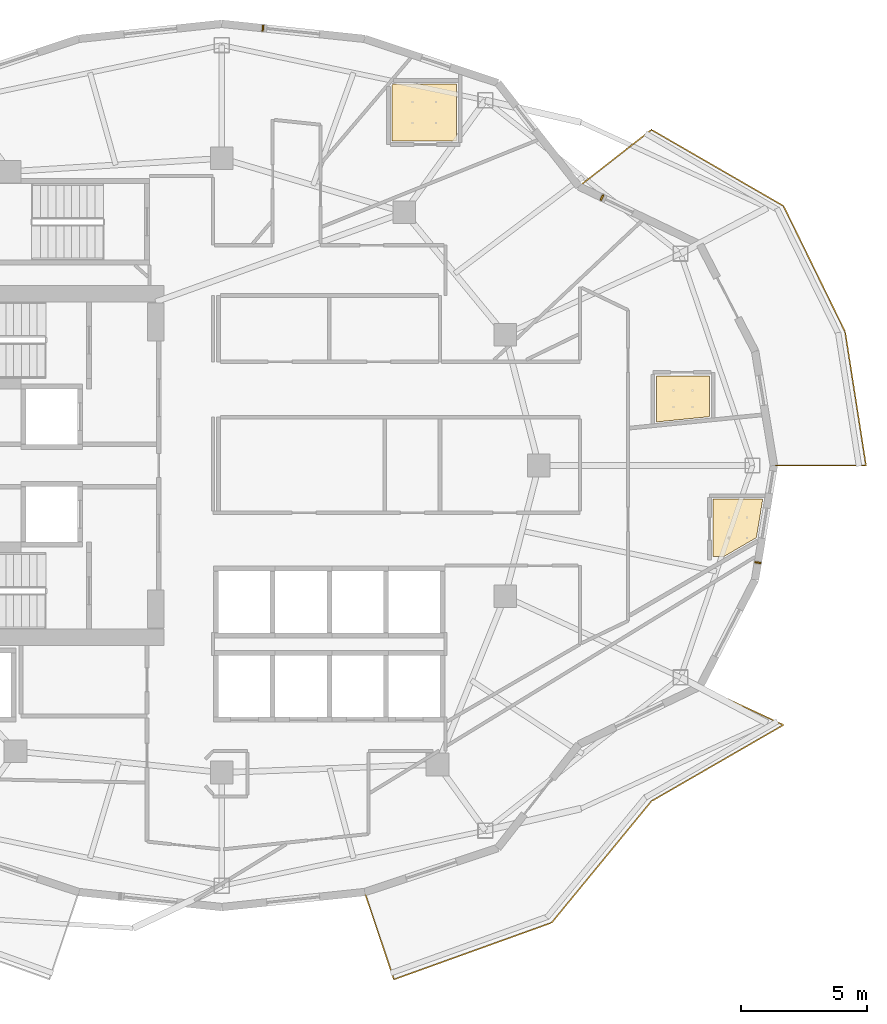
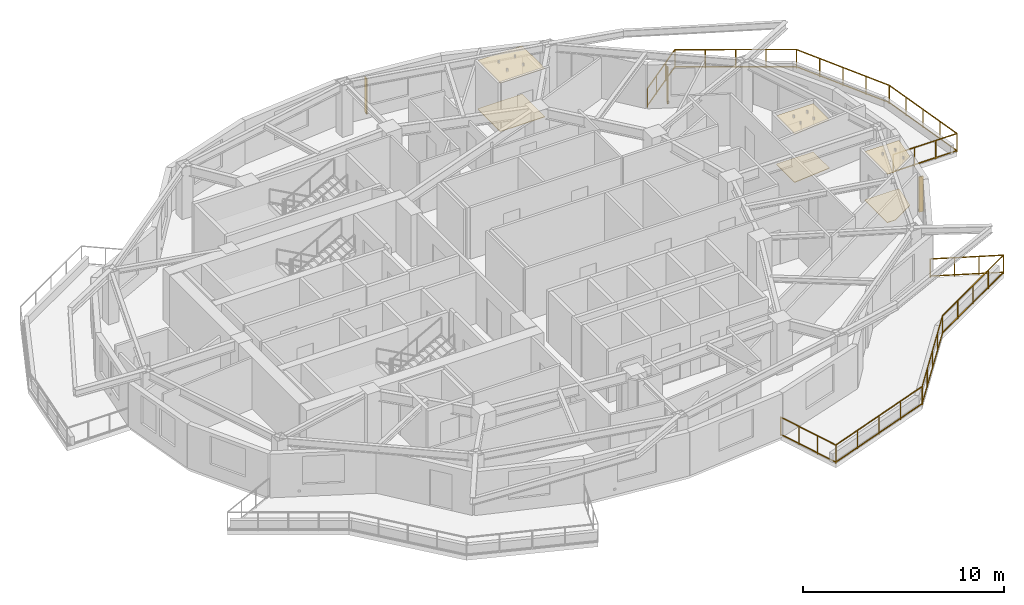
# One storey, part 10 of 10: 6 coverings, 3 shading devices, 2 railings.
"""IFC4 building model written with IfcOpenShell, lengths in metres."""

from ifc_helpers import new_model, si_unit, direction, frame, origin, origin_2d, place, context, subcontext, project, spatial, polyline, rectangle, outline, extrude, material, layer, layer_set, type_object, element, save


model = new_model("IFC4")

# Units and contexts
model_context = context("Model", 3, precision=1e-05, world=origin(), true_north=direction((0.0, 1.0)))
body_context = subcontext(model_context, "Body", "Model", "MODEL_VIEW")
ifc_project = project(units=[si_unit("LENGTHUNIT", "METRE"), si_unit("AREAUNIT", "SQUARE_METRE"), si_unit("VOLUMEUNIT", "CUBIC_METRE"), si_unit("PLANEANGLEUNIT", "RADIAN"), si_unit("MASSUNIT", "GRAM", prefix="KILO")], contexts=[model_context])

# Site, building, storey
site_placement = place(None, origin())
site = spatial("IfcSite", under=ifc_project, at=site_placement, CompositionType="ELEMENT")
building_placement = place(site_placement, origin())
building = spatial("IfcBuilding", under=site, at=building_placement, Name="Kolvaren Gate Tower and Convention Centre", CompositionType="ELEMENT")
storey_placement = place(building_placement, frame((0.0, 0.0, 146.10009765625)))
storey = spatial("IfcBuildingStorey", under=building, at=storey_placement, Name="L37", CompositionType="ELEMENT", Elevation=146.10009765625)

# Coverings
ifc_material_1 = material(Name="Perforated Mineral-Fibre Acoustic Ceiling Tile 18 mm", Category="gypsum")
ifc_layer_1 = layer(ifc_material_1, 0.01806640625)
ifc_layer_set_1 = layer_set([ifc_layer_1], Name="Perforated Mineral-Fibre Acoustic Ceiling Tile 18 mm")
covering_type_1 = type_object("IfcCoveringType", Name="ARCH-COV-CEIL-18", PredefinedType="CEILING", material=ifc_layer_set_1)
covering_1_placement = place(storey_placement, frame((0.0, 0.0, 2.949951171875)))
element("IfcCovering", 1, at=covering_1_placement, inside=storey, type_object=covering_type_1, Name="En-suite Bathroom (HTL-L37-05) Acoustic Suspended Ceiling", PredefinedType="CEILING", context=body_context, shape_type="SweptSolid", body=[
    extrude(outline(polyline([(49.639892578125, 23.389892578125), (49.639892578125, 25.659912109375), (51.618896484375, 25.659912109375), (51.367919921875, 24.133056640625), (50.090087890625, 23.389892578125), (49.639892578125, 23.389892578125)])), origin(), (0.0, 0.0, 1.0), 0.01806640625),
])
covering_2_placement = place(storey_placement, frame((0.0, 0.0, 2.949951171875)))
element("IfcCovering", 2, at=covering_2_placement, inside=storey, type_object=covering_type_1, Name="En-suite Bathroom (HTL-L37-07) Acoustic Suspended Ceiling", PredefinedType="CEILING", context=body_context, shape_type="SweptSolid", body=[
    extrude(outline(polyline([(47.389892578125, 30.56005859375), (49.510009765625, 30.56005859375), (49.510009765625, 28.93994140625), (47.389892578125, 28.72900390625), (47.389892578125, 30.56005859375)])), origin(), (0.0, 0.0, 1.0), 0.01806640625),
])
covering_3_placement = place(storey_placement, frame((0.0, 0.0, 2.949951171875)))
element("IfcCovering", 3, at=covering_3_placement, inside=storey, type_object=covering_type_1, Name="En-suite Bathroom (HTL-L37-09) Acoustic Suspended Ceiling", PredefinedType="CEILING", context=body_context, shape_type="SweptSolid", body=[
    extrude(outline(polyline([(39.4599609375, 42.159912109375), (39.4599609375, 39.889892578125), (36.889892578125, 39.889892578125), (36.889892578125, 42.10400390625), (36.93798828125, 42.159912109375), (39.4599609375, 42.159912109375)])), origin(), (0.0, 0.0, 1.0), 0.01806640625),
])
ifc_material_2 = material(Name="Honed Sabana Limestone Terrazzo Flooring 30 mm", Category="masonry")
ifc_layer_2 = layer(ifc_material_2, 0.030029296875)
ifc_layer_set_2 = layer_set([ifc_layer_2], Name="Honed Sabana Limestone Terrazzo Flooring 30 mm")
covering_type_2 = type_object("IfcCoveringType", Name="ARCH-COV-FLR-30", PredefinedType="FLOORING", material=ifc_layer_set_2)
covering_4_placement = place(storey_placement, origin())
element("IfcCovering", 4, at=covering_4_placement, inside=storey, type_object=covering_type_2, Name="En-suite Bathroom (HTL-L37-05) Interior Finish Flooring", PredefinedType="FLOORING", context=body_context, shape_type="SweptSolid", body=[
    extrude(outline(polyline([(49.639892578125, 23.389892578125), (49.639892578125, 25.659912109375), (51.618896484375, 25.659912109375), (51.367919921875, 24.133056640625), (50.090087890625, 23.389892578125), (49.639892578125, 23.389892578125)])), origin(), (0.0, 0.0, 1.0), 0.02978515625),
])
covering_5_placement = place(storey_placement, origin())
element("IfcCovering", 5, at=covering_5_placement, inside=storey, type_object=covering_type_2, Name="En-suite Bathroom (HTL-L37-07) Interior Finish Flooring", PredefinedType="FLOORING", context=body_context, shape_type="SweptSolid", body=[
    extrude(outline(polyline([(47.389892578125, 30.56005859375), (49.510009765625, 30.56005859375), (49.510009765625, 28.93994140625), (47.389892578125, 28.72900390625), (47.389892578125, 30.56005859375)])), origin(), (0.0, 0.0, 1.0), 0.02978515625),
])
covering_6_placement = place(storey_placement, origin())
element("IfcCovering", 6, at=covering_6_placement, inside=storey, type_object=covering_type_2, Name="En-suite Bathroom (HTL-L37-09) Interior Finish Flooring", PredefinedType="FLOORING", context=body_context, shape_type="SweptSolid", body=[
    extrude(outline(polyline([(39.4599609375, 42.159912109375), (39.4599609375, 39.889892578125), (36.889892578125, 39.889892578125), (36.889892578125, 42.10400390625), (36.93798828125, 42.159912109375), (39.4599609375, 42.159912109375)])), origin(), (0.0, 0.0, 1.0), 0.02978515625),
])

# Railings
ifc_material_3 = material(Name="Brushed Stainless Steel Grade 316L", Category="steel")
railing_type = type_object("IfcRailingType", Name="ARCH-RL-GUARD-1150", PredefinedType="GUARDRAIL", material=ifc_material_3)
railing_1_placement = place(storey_placement, frame((52.0625, 27.0, 0.0)))
element("IfcRailing", 7, at=railing_1_placement, inside=storey, type_object=railing_type, Name="Tower L37 Terrace Perimeter Guardrail GR-1", PredefinedType="GUARDRAIL", context=body_context, shape_type="SweptSolid", body=[
    extrude(rectangle(XDim=0.048095703125, YDim=0.048095703125, at=origin_2d()), frame((0.028076171875, 0.0, 1.1259765625), z_axis=(1.0, 0.0, 0.0), x_axis=(0.0, 1.0, 0.0)), (0.0, 0.0, 1.0), 3.603759765625),
    extrude(rectangle(XDim=0.048095703125, YDim=0.048095703125, at=origin_2d()), frame((0.028076171875, 0.0, 0.083984375), z_axis=(1.0, 0.0, 0.0), x_axis=(0.0, 1.0, 0.0)), (0.0, 0.0, 1.0), 3.603759765625),
    extrude(rectangle(XDim=0.048095703125, YDim=0.048095703125, at=origin_2d()), frame((3.655517578125, 0.02783203125, 1.1259765625), z_axis=(-0.154200861408, 0.988039520637, 0.0), x_axis=(-0.988039520637, -0.154200861408, 0.0)), (0.0, 0.0, 1.0), 5.3173828125),
    extrude(rectangle(XDim=0.048095703125, YDim=0.048095703125, at=origin_2d()), frame((3.655517578125, 0.02783203125, 0.083984375), z_axis=(-0.154200861408, 0.988039520637, 0.0), x_axis=(-0.988039520637, -0.154200861408, 0.0)), (0.0, 0.0, 1.0), 5.3173828125),
    extrude(rectangle(XDim=0.048095703125, YDim=0.048095703125, at=origin_2d()), frame((2.81884765625, 5.33447265625, 1.1259765625), z_axis=(-0.439655234701, 0.898166618507, 0.0), x_axis=(-0.898166618507, -0.439655234701, 0.0)), (0.0, 0.0, 1.0), 5.51123046875),
    extrude(rectangle(XDim=0.048095703125, YDim=0.048095703125, at=origin_2d()), frame((2.81884765625, 5.33447265625, 0.083984375), z_axis=(-0.439655234701, 0.898166618507, 0.0), x_axis=(-0.898166618507, -0.439655234701, 0.0)), (0.0, 0.0, 1.0), 5.51123046875),
    extrude(rectangle(XDim=0.048095703125, YDim=0.048095703125, at=origin_2d()), frame((0.359375, 10.32373046875, 1.1259765625), z_axis=(-0.866075571306, 0.499913097234, 0.0), x_axis=(-0.499913097234, -0.866075571306, 0.0)), (0.0, 0.0, 1.0), 6.004150390625),
    extrude(rectangle(XDim=0.048095703125, YDim=0.048095703125, at=origin_2d()), frame((0.359375, 10.32373046875, 0.083984375), z_axis=(-0.866075571306, 0.499913097234, 0.0), x_axis=(-0.499913097234, -0.866075571306, 0.0)), (0.0, 0.0, 1.0), 6.004150390625),
    extrude(rectangle(XDim=0.048095703125, YDim=0.048095703125, at=origin_2d()), frame((-4.88720703125, 13.322021484375, 1.1259765625), z_axis=(-0.787988976981, -0.61568934712, 0.0), x_axis=(0.61568934712, -0.787988976981, 0.0)), (0.0, 0.0, 1.0), 3.60400390625),
    extrude(rectangle(XDim=0.048095703125, YDim=0.048095703125, at=origin_2d()), frame((-4.88720703125, 13.322021484375, 0.083984375), z_axis=(-0.787988976981, -0.61568934712, 0.0), x_axis=(0.61568934712, -0.787988976981, 0.0)), (0.0, 0.0, 1.0), 3.60400390625),
    extrude(rectangle(XDim=0.0419921875, YDim=0.0419921875, at=origin_2d()), origin(), (0.0, 0.0, 1.0), 1.14990234375),
    extrude(rectangle(XDim=0.0419921875, YDim=0.0419921875, at=origin_2d()), frame((3.659912109375, 0.0, 0.0)), (0.0, 0.0, 1.0), 1.14990234375),
    extrude(rectangle(XDim=0.0419921875, YDim=0.0419921875, at=origin_2d()), frame((1.219970703125, 0.0, 0.0)), (0.0, 0.0, 1.0), 1.099853515625),
    extrude(rectangle(XDim=0.0419921875, YDim=0.0419921875, at=origin_2d()), frame((2.43994140625, 0.0, 0.0)), (0.0, 0.0, 1.0), 1.099853515625),
    extrude(rectangle(XDim=0.0419921875, YDim=0.0419921875, at=origin_2d()), frame((2.831298828125, 5.309326171875, 0.0)), (0.0, 0.0, 1.0), 1.14990234375),
    extrude(rectangle(XDim=0.0419921875, YDim=0.0419921875, at=origin_2d()), frame((3.45263671875, 1.327392578125, 0.0)), (0.0, 0.0, 1.0), 1.099853515625),
    extrude(rectangle(XDim=0.0419921875, YDim=0.0419921875, at=origin_2d()), frame((3.24560546875, 2.65478515625, 0.0)), (0.0, 0.0, 1.0), 1.099853515625),
    extrude(rectangle(XDim=0.0419921875, YDim=0.0419921875, at=origin_2d()), frame((3.03857421875, 3.98193359375, 0.0)), (0.0, 0.0, 1.0), 1.099853515625),
    extrude(rectangle(XDim=0.0419921875, YDim=0.0419921875, at=origin_2d()), frame((0.383544921875, 10.309814453125, 0.0)), (0.0, 0.0, 1.0), 1.14990234375),
    extrude(rectangle(XDim=0.0419921875, YDim=0.0419921875, at=origin_2d()), frame((2.21923828125, 6.5595703125, 0.0)), (0.0, 0.0, 1.0), 1.099853515625),
    extrude(rectangle(XDim=0.0419921875, YDim=0.0419921875, at=origin_2d()), frame((1.607421875, 7.8095703125, 0.0)), (0.0, 0.0, 1.0), 1.099853515625),
    extrude(rectangle(XDim=0.0419921875, YDim=0.0419921875, at=origin_2d()), frame((0.99560546875, 9.0595703125, 0.0)), (0.0, 0.0, 1.0), 1.099853515625),
    extrude(rectangle(XDim=0.0419921875, YDim=0.0419921875, at=origin_2d()), frame((-4.864990234375, 13.33935546875, 0.0)), (0.0, 0.0, 1.0), 1.14990234375),
    extrude(rectangle(XDim=0.0419921875, YDim=0.0419921875, at=origin_2d()), frame((-0.9287109375, 11.067138671875, 0.0)), (0.0, 0.0, 1.0), 1.099853515625),
    extrude(rectangle(XDim=0.0419921875, YDim=0.0419921875, at=origin_2d()), frame((-2.24072265625, 11.82470703125, 0.0)), (0.0, 0.0, 1.0), 1.099853515625),
    extrude(rectangle(XDim=0.0419921875, YDim=0.0419921875, at=origin_2d()), frame((-3.552734375, 12.58203125, 0.0)), (0.0, 0.0, 1.0), 1.099853515625),
    extrude(rectangle(XDim=0.0419921875, YDim=0.0419921875, at=origin_2d()), frame((-7.7490234375, 11.0859375, 0.0)), (0.0, 0.0, 1.0), 1.14990234375),
    extrude(rectangle(XDim=0.0419921875, YDim=0.0419921875, at=origin_2d()), frame((-5.826416015625, 12.588134765625, 0.0)), (0.0, 0.0, 1.0), 1.099853515625),
    extrude(rectangle(XDim=0.0419921875, YDim=0.0419921875, at=origin_2d()), frame((-6.78759765625, 11.837158203125, 0.0)), (0.0, 0.0, 1.0), 1.099853515625),
])
railing_2_placement = place(storey_placement, frame((35.802734375, 10.048095703125, 0.0)))
element("IfcRailing", 8, at=railing_2_placement, inside=storey, type_object=railing_type, Name="Tower L37 Terrace Perimeter Guardrail GR-4", PredefinedType="GUARDRAIL", context=body_context, shape_type="SweptSolid", body=[
    extrude(rectangle(XDim=0.048095703125, YDim=0.048095703125, at=origin_2d()), frame((0.0087890625, -0.026611328125, 1.1259765625), z_axis=(0.317568160167, -0.94823544737, 0.0), x_axis=(0.94823544737, 0.317568160167, 0.0)), (0.0, 0.0, 1.0), 3.60400390625),
    extrude(rectangle(XDim=0.048095703125, YDim=0.048095703125, at=origin_2d()), frame((0.0087890625, -0.026611328125, 0.083984375), z_axis=(0.317568160167, -0.94823544737, 0.0), x_axis=(0.94823544737, 0.317568160167, 0.0)), (0.0, 0.0, 1.0), 3.60400390625),
    extrude(rectangle(XDim=0.048095703125, YDim=0.048095703125, at=origin_2d()), frame((1.188720703125, -3.461181640625, 1.1259765625), z_axis=(0.940948576924, 0.338549517184, 0.0), x_axis=(-0.338549517184, 0.940948576924, 0.0)), (0.0, 0.0, 1.0), 6.60791015625),
    extrude(rectangle(XDim=0.048095703125, YDim=0.048095703125, at=origin_2d()), frame((1.188720703125, -3.461181640625, 0.083984375), z_axis=(0.940948576924, 0.338549517184, 0.0), x_axis=(-0.338549517184, 0.940948576924, 0.0)), (0.0, 0.0, 1.0), 6.60791015625),
    extrude(rectangle(XDim=0.048095703125, YDim=0.048095703125, at=origin_2d()), frame((7.45068359375, -1.19287109375, 1.1259765625), z_axis=(0.634429234628, 0.77298094818, 0.0), x_axis=(-0.77298094818, 0.634429234628, 0.0)), (0.0, 0.0, 1.0), 6.188720703125),
    extrude(rectangle(XDim=0.048095703125, YDim=0.048095703125, at=origin_2d()), frame((7.45068359375, -1.19287109375, 0.083984375), z_axis=(0.634429234628, 0.77298094818, 0.0), x_axis=(-0.77298094818, 0.634429234628, 0.0)), (0.0, 0.0, 1.0), 6.188720703125),
    extrude(rectangle(XDim=0.048095703125, YDim=0.048095703125, at=origin_2d()), frame((11.4189453125, 3.62646484375, 1.1259765625), z_axis=(0.866075571306, 0.499913097234, 0.0), x_axis=(-0.499913097234, 0.866075571306, 0.0)), (0.0, 0.0, 1.0), 6.004150390625),
    extrude(rectangle(XDim=0.048095703125, YDim=0.048095703125, at=origin_2d()), frame((11.4189453125, 3.62646484375, 0.083984375), z_axis=(0.866075571306, 0.499913097234, 0.0), x_axis=(-0.499913097234, 0.866075571306, 0.0)), (0.0, 0.0, 1.0), 6.004150390625),
    extrude(rectangle(XDim=0.048095703125, YDim=0.048095703125, at=origin_2d()), frame((16.617919921875, 6.65380859375, 1.1259765625), z_axis=(-0.907820723829, 0.419358478377, 0.0), x_axis=(-0.419358478377, -0.907820723829, 0.0)), (0.0, 0.0, 1.0), 3.60400390625),
    extrude(rectangle(XDim=0.048095703125, YDim=0.048095703125, at=origin_2d()), frame((16.617919921875, 6.65380859375, 0.083984375), z_axis=(-0.907820723829, 0.419358478377, 0.0), x_axis=(-0.419358478377, -0.907820723829, 0.0)), (0.0, 0.0, 1.0), 3.60400390625),
    extrude(rectangle(XDim=0.0419921875, YDim=0.0419921875, at=origin_2d()), origin(), (0.0, 0.0, 1.0), 1.14990234375),
    extrude(rectangle(XDim=0.0419921875, YDim=0.0419921875, at=origin_2d()), frame((1.162353515625, -3.470703125, 0.0)), (0.0, 0.0, 1.0), 1.14990234375),
    extrude(rectangle(XDim=0.0419921875, YDim=0.0419921875, at=origin_2d()), frame((0.387451171875, -1.156982421875, 0.0)), (0.0, 0.0, 1.0), 1.099853515625),
    extrude(rectangle(XDim=0.0419921875, YDim=0.0419921875, at=origin_2d()), frame((0.77490234375, -2.313720703125, 0.0)), (0.0, 0.0, 1.0), 1.099853515625),
    extrude(rectangle(XDim=0.0419921875, YDim=0.0419921875, at=origin_2d()), frame((7.432861328125, -1.214599609375, 0.0)), (0.0, 0.0, 1.0), 1.14990234375),
    extrude(rectangle(XDim=0.0419921875, YDim=0.0419921875, at=origin_2d()), frame((2.72998046875, -2.90673828125, 0.0)), (0.0, 0.0, 1.0), 1.099853515625),
    extrude(rectangle(XDim=0.0419921875, YDim=0.0419921875, at=origin_2d()), frame((4.297607421875, -2.3427734375, 0.0)), (0.0, 0.0, 1.0), 1.099853515625),
    extrude(rectangle(XDim=0.0419921875, YDim=0.0419921875, at=origin_2d()), frame((5.865234375, -1.778564453125, 0.0)), (0.0, 0.0, 1.0), 1.099853515625),
    extrude(rectangle(XDim=0.0419921875, YDim=0.0419921875, at=origin_2d()), frame((11.394775390625, 3.612548828125, 0.0)), (0.0, 0.0, 1.0), 1.14990234375),
    extrude(rectangle(XDim=0.0419921875, YDim=0.0419921875, at=origin_2d()), frame((8.42333984375, -0.0078125, 0.0)), (0.0, 0.0, 1.0), 1.099853515625),
    extrude(rectangle(XDim=0.0419921875, YDim=0.0419921875, at=origin_2d()), frame((9.413818359375, 1.198974609375, 0.0)), (0.0, 0.0, 1.0), 1.099853515625),
    extrude(rectangle(XDim=0.0419921875, YDim=0.0419921875, at=origin_2d()), frame((10.404296875, 2.40576171875, 0.0)), (0.0, 0.0, 1.0), 1.099853515625),
    extrude(rectangle(XDim=0.0419921875, YDim=0.0419921875, at=origin_2d()), frame((16.643310546875, 6.64208984375, 0.0)), (0.0, 0.0, 1.0), 1.14990234375),
    extrude(rectangle(XDim=0.0419921875, YDim=0.0419921875, at=origin_2d()), frame((12.70703125, 4.369873046875, 0.0)), (0.0, 0.0, 1.0), 1.099853515625),
    extrude(rectangle(XDim=0.0419921875, YDim=0.0419921875, at=origin_2d()), frame((14.01904296875, 5.12744140625, 0.0)), (0.0, 0.0, 1.0), 1.099853515625),
    extrude(rectangle(XDim=0.0419921875, YDim=0.0419921875, at=origin_2d()), frame((15.3310546875, 5.884765625, 0.0)), (0.0, 0.0, 1.0), 1.099853515625),
    extrude(rectangle(XDim=0.0419921875, YDim=0.0419921875, at=origin_2d()), frame((13.320556640625, 8.177001953125, 0.0)), (0.0, 0.0, 1.0), 1.14990234375),
    extrude(rectangle(XDim=0.0419921875, YDim=0.0419921875, at=origin_2d()), frame((15.53564453125, 7.15380859375, 0.0)), (0.0, 0.0, 1.0), 1.099853515625),
    extrude(rectangle(XDim=0.0419921875, YDim=0.0419921875, at=origin_2d()), frame((14.42822265625, 7.665283203125, 0.0)), (0.0, 0.0, 1.0), 1.099853515625),
])

# Shading devices
ifc_material_4 = material(Name="Kiln-Fired Bogota Terracotta Ceramic Louvre Profile", Category="masonry")
shading_device_type = type_object("IfcShadingDeviceType", Name="ARCH-SHD-FIN-180", PredefinedType="JALOUSIE", material=ifc_material_4)
for number, where, z_axis, x_axis, name in (
    (9, (45.23291015625, 37.644287109375, 0.219970703125), (0.0, 0.0, 1.0), (0.901358389955, -0.433073957723, 0.0), "Ceramic Vertical Brise-Soleil Fin FN-L37-02"),
    (10, (31.760986328125, 44.377685546875, 0.219970703125), (0.0, 0.0, 1.0), (0.994499249941, -0.104743696069, 0.0), "Ceramic Vertical Brise-Soleil Fin FN-L37-05"),
    (11, (51.427001953125, 23.138427734375, 0.219970703125), (0.0, 0.0, 1.0), (0.162380568014, 0.986728205298, 0.0), "Ceramic Vertical Brise-Soleil Fin FN-L37-23"),
):
    element("IfcShadingDevice", number, at=place(storey_placement, frame(where, z_axis=z_axis, x_axis=x_axis)), inside=storey, type_object=shading_device_type, Name=name, PredefinedType="JALOUSIE", context=body_context, shape_type="SweptSolid", body=[
        extrude(rectangle(XDim=0.06005859375, YDim=0.239990234375, at=origin_2d()), origin(), (0.0, 0.0, 1.0), 2.14990234375),
    ])

save(model, "model.ifc")
